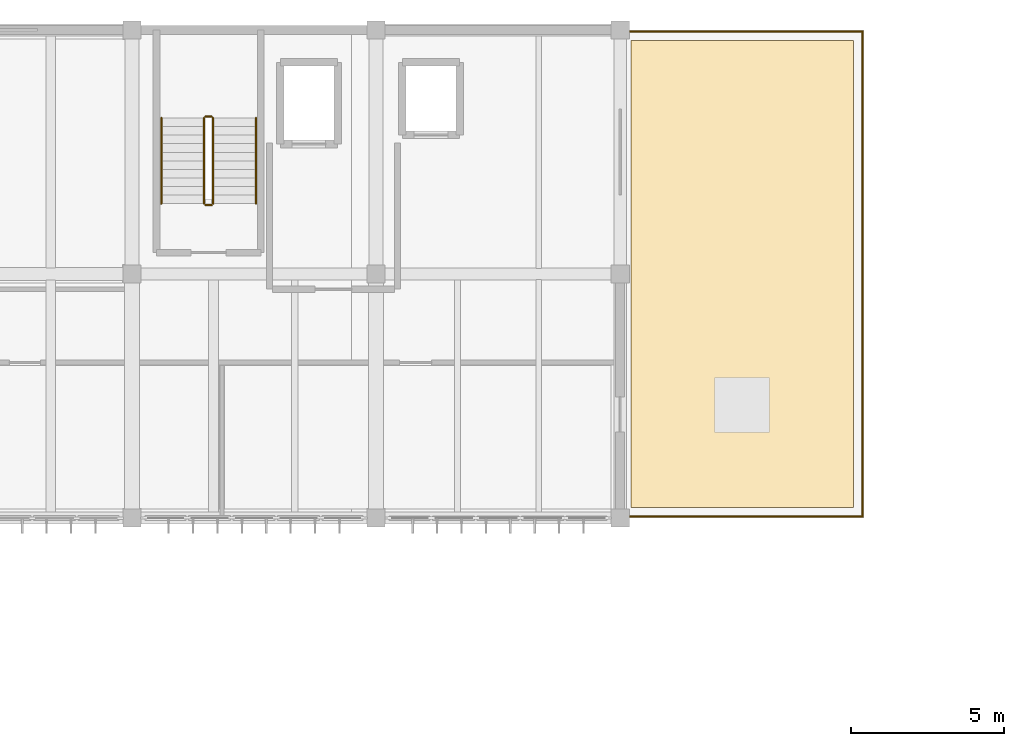
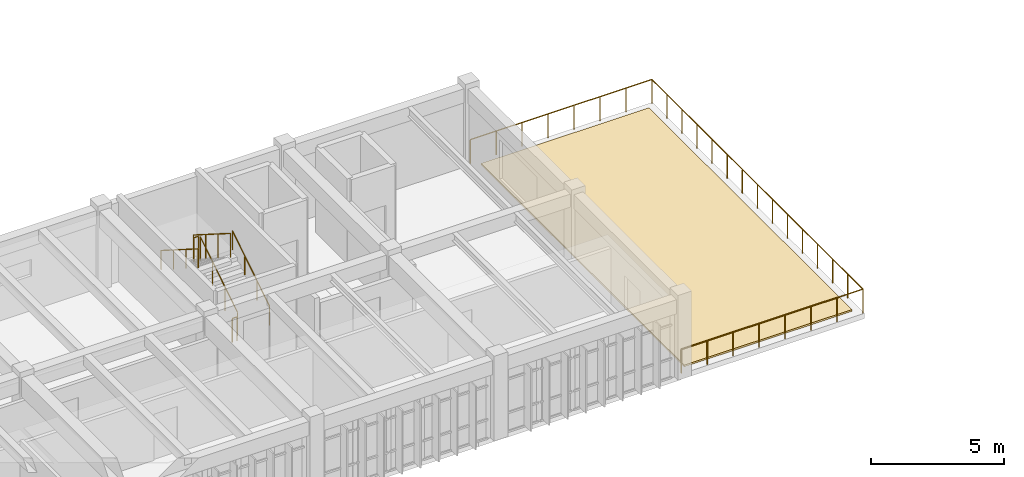
# One storey, part 22 of 22: 9 railings, 1 covering.
"""IFC4 building model written with IfcOpenShell, lengths in metres."""

from ifc_helpers import new_model, si_unit, direction, frame, origin, origin_2d, place, context, subcontext, project, spatial, polyline, circle, outline, extrude, material, layer, layer_set, type_object, element, save


model = new_model("IFC4")

# Units and contexts
model_context = context("Model", 3, precision=1e-05, world=origin(), true_north=direction((0.0, 1.0)))
body_context = subcontext(model_context, "Body", "Model", "MODEL_VIEW")
ifc_project = project(units=[si_unit("LENGTHUNIT", "METRE"), si_unit("AREAUNIT", "SQUARE_METRE"), si_unit("VOLUMEUNIT", "CUBIC_METRE"), si_unit("PLANEANGLEUNIT", "RADIAN"), si_unit("MASSUNIT", "GRAM", prefix="KILO")], contexts=[model_context])

# Site, building, storey
site_placement = place(None, origin())
site = spatial("IfcSite", under=ifc_project, at=site_placement, CompositionType="ELEMENT")
building_placement = place(site_placement, origin())
building = spatial("IfcBuilding", under=site, at=building_placement, Name="Tlaxcora Railside Police Headquarters", CompositionType="ELEMENT")
storey_placement = place(building_placement, frame((0.0, 0.0, 21.89990234375)))
storey = spatial("IfcBuildingStorey", under=building, at=storey_placement, Name="L05", CompositionType="ELEMENT", Elevation=21.89990234375)

# Covering
ifc_material_1 = material(Name="Modified EPDM waterproofing and volcanic-ash protection membrane")
ifc_layer = layer(ifc_material_1, 0.080078125, Name="Modified EPDM waterproofing and volcanic-ash protection membrane")
ifc_layer_set = layer_set([ifc_layer], Name="Modified EPDM waterproofing and volcanic-ash protection membrane")
covering_type = type_object("IfcCoveringType", Name="Planted Roof Garden Waterproofing RF-01", PredefinedType="ROOFING", material=ifc_layer_set)
covering_placement = place(storey_placement, origin())
element("IfcCovering", 1, at=covering_placement, inside=storey, type_object=covering_type, Name="TERR-V5-L05-E planted waterproofing layer", PredefinedType="ROOFING", context=body_context, shape_type="SweptSolid", body=[
    extrude(outline(polyline([(93.64990234375, 77.14990234375), (93.64990234375, 92.449951171875), (86.35009765625, 92.449951171875), (86.35009765625, 77.14990234375), (93.64990234375, 77.14990234375)])), origin(), (0.0, 0.0, 1.0), 0.080078125),
])

# Railings
ifc_material_2 = material(Name="Steel ASTM A992 Grade 50", Category="steel")
railing_type_1 = type_object("IfcRailingType", Name="Stair Well Guard Balustrade GR-02", PredefinedType="BALUSTRADE", material=ifc_material_2)
railing_1_placement = place(storey_placement, frame((72.659912109375, 87.110107421875, 0.177490234375)))
element("IfcRailing", 2, at=railing_1_placement, inside=storey, type_object=railing_type_1, Name="L05 ST2 stair guard 1", PredefinedType="BALUSTRADE", context=body_context, shape_type="SweptSolid", body=[
    extrude(circle(Radius=0.02392578125, at=origin_2d()), frame((0.0, 0.0, 1.09619140625), z_axis=(0.0, 0.844887892834, 0.53494340686), x_axis=(-1.0, 0.0, 0.0)), (0.0, 0.0, 1.0), 3.313720703125),
    extrude(circle(Radius=0.02099609375, at=origin_2d()), origin(), (0.0, 0.0, 1.0), 1.072021484375),
    extrude(circle(Radius=0.02099609375, at=origin_2d()), frame((0.0, 0.933349609375, 0.5908203125)), (0.0, 0.0, 1.0), 1.072021484375),
    extrude(circle(Radius=0.02099609375, at=origin_2d()), frame((0.0, 1.866455078125, 1.181884765625)), (0.0, 0.0, 1.0), 1.072021484375),
    extrude(circle(Radius=0.02099609375, at=origin_2d()), frame((0.0, 2.7998046875, 1.772705078125)), (0.0, 0.0, 1.0), 1.072021484375),
])
railing_2_placement = place(storey_placement, frame((72.610107421875, 89.9599609375, 1.9501953125)))
element("IfcRailing", 3, at=railing_2_placement, inside=storey, type_object=railing_type_1, Name="L05 ST2 stair guard 2", PredefinedType="BALUSTRADE", context=body_context, shape_type="SweptSolid", body=[
    extrude(circle(Radius=0.02392578125, at=origin_2d()), frame((0.0, 0.0, 1.09619140625), z_axis=(-1.0, 0.0, 0.0), x_axis=(0.0, -1.0, 0.0)), (0.0, 0.0, 1.0), 0.2001953125),
    extrude(circle(Radius=0.02099609375, at=origin_2d()), origin(), (0.0, 0.0, 1.0), 1.072021484375),
    extrude(circle(Radius=0.02099609375, at=origin_2d()), frame((-0.2001953125, 0.0, 0.0)), (0.0, 0.0, 1.0), 1.072021484375),
])
railing_3_placement = place(storey_placement, frame((72.360107421875, 89.909912109375, 2.12744140625)))
element("IfcRailing", 4, at=railing_3_placement, inside=storey, type_object=railing_type_1, Name="L05 ST2 stair guard 3", PredefinedType="BALUSTRADE", context=body_context, shape_type="SweptSolid", body=[
    extrude(circle(Radius=0.02392578125, at=origin_2d()), frame((0.0, 0.0, 1.09619140625), z_axis=(0.0, -0.844887892834, 0.53494340686), x_axis=(1.0, 0.0, 0.0)), (0.0, 0.0, 1.0), 3.313720703125),
    extrude(circle(Radius=0.02099609375, at=origin_2d()), origin(), (0.0, 0.0, 1.0), 1.072021484375),
    extrude(circle(Radius=0.02099609375, at=origin_2d()), frame((0.0, -0.933349609375, 0.5908203125)), (0.0, 0.0, 1.0), 1.072021484375),
    extrude(circle(Radius=0.02099609375, at=origin_2d()), frame((0.0, -1.866455078125, 1.181884765625)), (0.0, 0.0, 1.0), 1.072021484375),
    extrude(circle(Radius=0.02099609375, at=origin_2d()), frame((0.0, -2.7998046875, 1.772705078125)), (0.0, 0.0, 1.0), 1.072021484375),
])
railing_4_placement = place(storey_placement, frame((72.610107421875, 87.06005859375, 0.0)))
element("IfcRailing", 5, at=railing_4_placement, inside=storey, type_object=railing_type_1, Name="L05 ST2 stair guard 4", PredefinedType="BALUSTRADE", context=body_context, shape_type="SweptSolid", body=[
    extrude(circle(Radius=0.02392578125, at=origin_2d()), frame((0.0, 0.0, 1.09619140625), z_axis=(-1.0, 0.0, 0.0), x_axis=(0.0, -1.0, 0.0)), (0.0, 0.0, 1.0), 0.2001953125),
    extrude(circle(Radius=0.02099609375, at=origin_2d()), origin(), (0.0, 0.0, 1.0), 1.072021484375),
    extrude(circle(Radius=0.02099609375, at=origin_2d()), frame((-0.2001953125, 0.0, 0.0)), (0.0, 0.0, 1.0), 1.072021484375),
])
railing_type_2 = type_object("IfcRailingType", Name="Stair and Ramp Handrail HR-01", PredefinedType="HANDRAIL", material=ifc_material_2)
railing_5_placement = place(storey_placement, frame((74.06005859375, 87.110107421875, 0.177490234375)))
element("IfcRailing", 6, at=railing_5_placement, inside=storey, type_object=railing_type_2, Name="L05 ST2 stair handrail 1", PredefinedType="HANDRAIL", context=body_context, shape_type="SweptSolid", body=[
    extrude(circle(Radius=0.02392578125, at=origin_2d()), frame((0.0, 0.0, 0.8759765625), z_axis=(0.0, 0.844887892834, 0.53494340686), x_axis=(-1.0, 0.0, 0.0)), (0.0, 0.0, 1.0), 3.313720703125),
    extrude(circle(Radius=0.02099609375, at=origin_2d()), origin(), (0.0, 0.0, 1.0), 0.851806640625),
    extrude(circle(Radius=0.02099609375, at=origin_2d()), frame((0.0, 0.933349609375, 0.5908203125)), (0.0, 0.0, 1.0), 0.851806640625),
    extrude(circle(Radius=0.02099609375, at=origin_2d()), frame((0.0, 1.866455078125, 1.181884765625)), (0.0, 0.0, 1.0), 0.851806640625),
    extrude(circle(Radius=0.02099609375, at=origin_2d()), frame((0.0, 2.7998046875, 1.772705078125)), (0.0, 0.0, 1.0), 0.851806640625),
])
railing_6_placement = place(storey_placement, frame((70.9599609375, 89.909912109375, 2.12744140625)))
element("IfcRailing", 7, at=railing_6_placement, inside=storey, type_object=railing_type_2, Name="L05 ST2 stair handrail 2", PredefinedType="HANDRAIL", context=body_context, shape_type="SweptSolid", body=[
    extrude(circle(Radius=0.02392578125, at=origin_2d()), frame((0.0, 0.0, 0.8759765625), z_axis=(0.0, -0.844887892834, 0.53494340686), x_axis=(1.0, 0.0, 0.0)), (0.0, 0.0, 1.0), 3.313720703125),
    extrude(circle(Radius=0.02099609375, at=origin_2d()), origin(), (0.0, 0.0, 1.0), 0.851806640625),
    extrude(circle(Radius=0.02099609375, at=origin_2d()), frame((0.0, -0.933349609375, 0.5908203125)), (0.0, 0.0, 1.0), 0.851806640625),
    extrude(circle(Radius=0.02099609375, at=origin_2d()), frame((0.0, -1.866455078125, 1.181884765625)), (0.0, 0.0, 1.0), 0.851806640625),
    extrude(circle(Radius=0.02099609375, at=origin_2d()), frame((0.0, -2.7998046875, 1.772705078125)), (0.0, 0.0, 1.0), 0.851806640625),
])
railing_type_3 = type_object("IfcRailingType", Name="Terrace Perimeter Guard Balustrade GR-01", PredefinedType="BALUSTRADE", material=ifc_material_2)
railing_7_placement = place(storey_placement, frame((86.050048828125, 76.85009765625, 0.0)))
element("IfcRailing", 8, at=railing_7_placement, inside=storey, type_object=railing_type_3, Name="TERR-V5-L05-E perimeter guard 1", PredefinedType="BALUSTRADE", context=body_context, shape_type="SweptSolid", body=[
    extrude(circle(Radius=0.02392578125, at=origin_2d()), frame((0.0, 0.0, 1.09619140625), z_axis=(1.0, 0.0, 0.0), x_axis=(0.0, 1.0, 0.0)), (0.0, 0.0, 1.0), 7.89990234375),
    extrude(circle(Radius=0.02099609375, at=origin_2d()), origin(), (0.0, 0.0, 1.0), 1.072021484375),
    extrude(circle(Radius=0.02099609375, at=origin_2d()), frame((1.128662109375, 0.0, 0.0)), (0.0, 0.0, 1.0), 1.072021484375),
    extrude(circle(Radius=0.02099609375, at=origin_2d()), frame((2.257080078125, 0.0, 0.0)), (0.0, 0.0, 1.0), 1.072021484375),
    extrude(circle(Radius=0.02099609375, at=origin_2d()), frame((3.3857421875, 0.0, 0.0)), (0.0, 0.0, 1.0), 1.072021484375),
    extrude(circle(Radius=0.02099609375, at=origin_2d()), frame((4.51416015625, 0.0, 0.0)), (0.0, 0.0, 1.0), 1.072021484375),
    extrude(circle(Radius=0.02099609375, at=origin_2d()), frame((5.642822265625, 0.0, 0.0)), (0.0, 0.0, 1.0), 1.072021484375),
    extrude(circle(Radius=0.02099609375, at=origin_2d()), frame((6.771240234375, 0.0, 0.0)), (0.0, 0.0, 1.0), 1.072021484375),
    extrude(circle(Radius=0.02099609375, at=origin_2d()), frame((7.89990234375, 0.0, 0.0)), (0.0, 0.0, 1.0), 1.072021484375),
])
railing_8_placement = place(storey_placement, frame((93.949951171875, 76.85009765625, 0.0)))
element("IfcRailing", 9, at=railing_8_placement, inside=storey, type_object=railing_type_3, Name="TERR-V5-L05-E perimeter guard 2", PredefinedType="BALUSTRADE", context=body_context, shape_type="SweptSolid", body=[
    extrude(circle(Radius=0.02392578125, at=origin_2d()), frame((0.0, 0.0, 1.09619140625), z_axis=(0.0, 1.0, 0.0), x_axis=(-1.0, 0.0, 0.0)), (0.0, 0.0, 1.0), 15.89990234375),
    extrude(circle(Radius=0.02099609375, at=origin_2d()), origin(), (0.0, 0.0, 1.0), 1.072021484375),
    extrude(circle(Radius=0.02099609375, at=origin_2d()), frame((0.0, 1.1357421875, 0.0)), (0.0, 0.0, 1.0), 1.072021484375),
    extrude(circle(Radius=0.02099609375, at=origin_2d()), frame((0.0, 2.271484375, 0.0)), (0.0, 0.0, 1.0), 1.072021484375),
    extrude(circle(Radius=0.02099609375, at=origin_2d()), frame((0.0, 3.4072265625, 0.0)), (0.0, 0.0, 1.0), 1.072021484375),
    extrude(circle(Radius=0.02099609375, at=origin_2d()), frame((0.0, 4.542724609375, 0.0)), (0.0, 0.0, 1.0), 1.072021484375),
    extrude(circle(Radius=0.02099609375, at=origin_2d()), frame((0.0, 5.678466796875, 0.0)), (0.0, 0.0, 1.0), 1.072021484375),
    extrude(circle(Radius=0.02099609375, at=origin_2d()), frame((0.0, 6.814208984375, 0.0)), (0.0, 0.0, 1.0), 1.072021484375),
    extrude(circle(Radius=0.02099609375, at=origin_2d()), frame((0.0, 7.949951171875, 0.0)), (0.0, 0.0, 1.0), 1.072021484375),
    extrude(circle(Radius=0.02099609375, at=origin_2d()), frame((0.0, 9.085693359375, 0.0)), (0.0, 0.0, 1.0), 1.072021484375),
    extrude(circle(Radius=0.02099609375, at=origin_2d()), frame((0.0, 10.221435546875, 0.0)), (0.0, 0.0, 1.0), 1.072021484375),
    extrude(circle(Radius=0.02099609375, at=origin_2d()), frame((0.0, 11.357177734375, 0.0)), (0.0, 0.0, 1.0), 1.072021484375),
    extrude(circle(Radius=0.02099609375, at=origin_2d()), frame((0.0, 12.49267578125, 0.0)), (0.0, 0.0, 1.0), 1.072021484375),
    extrude(circle(Radius=0.02099609375, at=origin_2d()), frame((0.0, 13.62841796875, 0.0)), (0.0, 0.0, 1.0), 1.072021484375),
    extrude(circle(Radius=0.02099609375, at=origin_2d()), frame((0.0, 14.76416015625, 0.0)), (0.0, 0.0, 1.0), 1.072021484375),
    extrude(circle(Radius=0.02099609375, at=origin_2d()), frame((0.0, 15.89990234375, 0.0)), (0.0, 0.0, 1.0), 1.072021484375),
])
railing_9_placement = place(storey_placement, frame((93.949951171875, 92.75, 0.0)))
element("IfcRailing", 10, at=railing_9_placement, inside=storey, type_object=railing_type_3, Name="TERR-V5-L05-E perimeter guard 3", PredefinedType="BALUSTRADE", context=body_context, shape_type="SweptSolid", body=[
    extrude(circle(Radius=0.02392578125, at=origin_2d()), frame((0.0, 0.0, 1.09619140625), z_axis=(-1.0, 0.0, 0.0), x_axis=(0.0, -1.0, 0.0)), (0.0, 0.0, 1.0), 7.89990234375),
    extrude(circle(Radius=0.02099609375, at=origin_2d()), origin(), (0.0, 0.0, 1.0), 1.072021484375),
    extrude(circle(Radius=0.02099609375, at=origin_2d()), frame((-1.128662109375, 0.0, 0.0)), (0.0, 0.0, 1.0), 1.072021484375),
    extrude(circle(Radius=0.02099609375, at=origin_2d()), frame((-2.257080078125, 0.0, 0.0)), (0.0, 0.0, 1.0), 1.072021484375),
    extrude(circle(Radius=0.02099609375, at=origin_2d()), frame((-3.3857421875, 0.0, 0.0)), (0.0, 0.0, 1.0), 1.072021484375),
    extrude(circle(Radius=0.02099609375, at=origin_2d()), frame((-4.51416015625, 0.0, 0.0)), (0.0, 0.0, 1.0), 1.072021484375),
    extrude(circle(Radius=0.02099609375, at=origin_2d()), frame((-5.642822265625, 0.0, 0.0)), (0.0, 0.0, 1.0), 1.072021484375),
    extrude(circle(Radius=0.02099609375, at=origin_2d()), frame((-6.771240234375, 0.0, 0.0)), (0.0, 0.0, 1.0), 1.072021484375),
    extrude(circle(Radius=0.02099609375, at=origin_2d()), frame((-7.89990234375, 0.0, 0.0)), (0.0, 0.0, 1.0), 1.072021484375),
])

save(model, "model.ifc")
